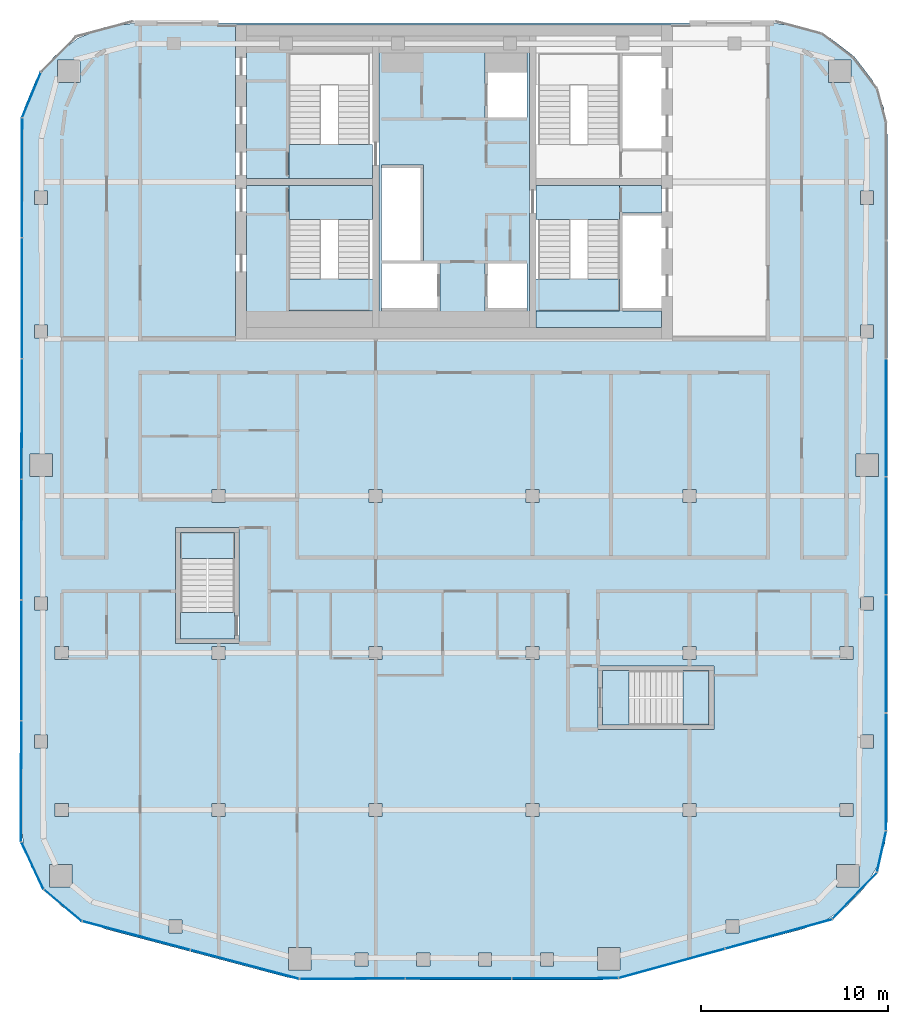
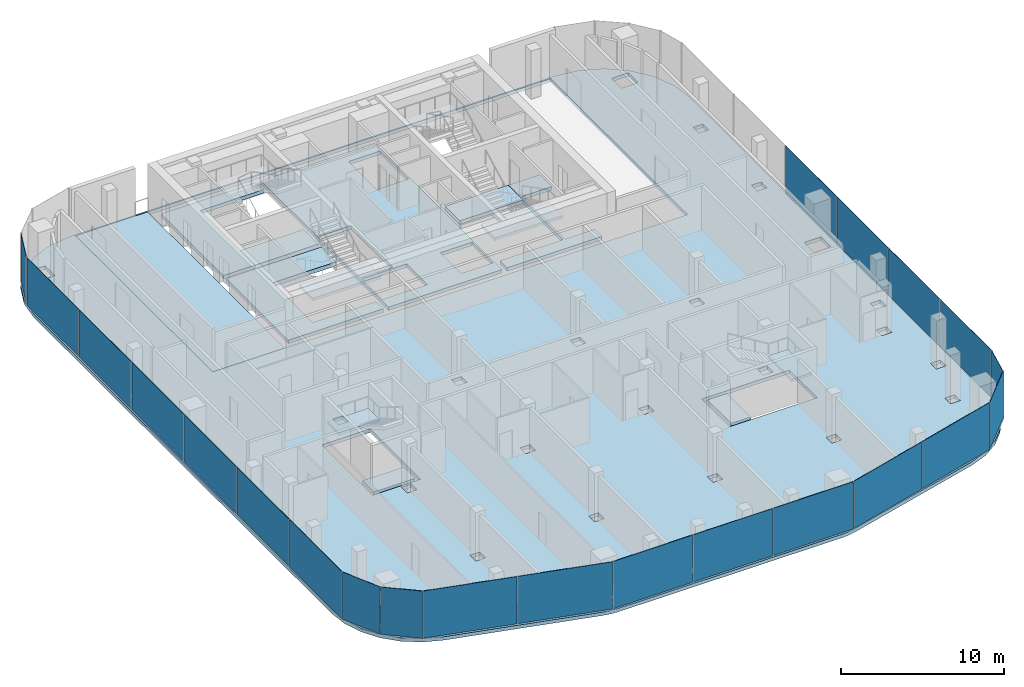
# One storey, part 12 of 19: 22 plates, 15 slabs, 14 elements without a shape of their own.
"""IFC4 building model written with IfcOpenShell, lengths in metres."""

from ifc_helpers import new_model, si_unit, direction, frame, origin, origin_2d, place, context, subcontext, project, spatial, polyline, rectangle, outline, extrude, material, layer, layer_set, type_object, element, aggregate, save


model = new_model("IFC4")

# Units and contexts
model_context = context("Model", 3, precision=1e-05, world=origin(), true_north=direction((0.0, 1.0)))
body_context = subcontext(model_context, "Body", "Model", "MODEL_VIEW")
ifc_project = project(units=[si_unit("LENGTHUNIT", "METRE"), si_unit("AREAUNIT", "SQUARE_METRE"), si_unit("VOLUMEUNIT", "CUBIC_METRE"), si_unit("PLANEANGLEUNIT", "RADIAN"), si_unit("MASSUNIT", "GRAM", prefix="KILO")], contexts=[model_context])

# Site, building, storey
site_placement = place(None, origin())
site = spatial("IfcSite", under=ifc_project, at=site_placement, CompositionType="ELEMENT")
building_placement = place(site_placement, origin())
building = spatial("IfcBuilding", under=site, at=building_placement, Name="Marenta Gate Hotel Tower", CompositionType="ELEMENT")
storey_placement = place(building_placement, frame((0.0, 0.0, 274.10009765625)))
storey = spatial("IfcBuildingStorey", under=building, at=storey_placement, Name="L63", CompositionType="ELEMENT", Elevation=274.10009765625)

# Slabs
ifc_material_1 = material(Name="Concrete C35", Category="concrete")
ifc_layer_1 = layer(ifc_material_1, 0.260009765625)
ifc_layer_set_1 = layer_set([ifc_layer_1], Name="Concrete C35")
slab_type_1 = type_object("IfcSlabType", Name="Concrete floor slab 260", PredefinedType="FLOOR", material=ifc_layer_set_1)
slab_1_placement = place(storey_placement, frame((0.0, 0.0, -0.260009765625)))
element("IfcSlab", 1, at=slab_1_placement, inside=storey, type_object=slab_type_1, Name="L63-SL-1", PredefinedType="FLOOR", context=body_context, shape_type="SweptSolid", body=[
    extrude(outline(polyline([(-21.013671875, -30.364013671875), (-21.935302734375, -29.404052734375), (-22.626953125, -28.26708984375), (-23.055419921875, -27.007080078125), (-23.199951171875, -25.689697265625), (-23.199951171875, 10.806640625), (-22.992919921875, 12.37890625), (-22.383544921875, 13.850341796875), (-21.413818359375, 15.114013671875), (-20.150390625, 16.08349609375), (-18.678955078125, 16.693115234375), (-17.1064453125, 16.89990234375), (17.1064453125, 16.89990234375), (18.678955078125, 16.693115234375), (20.150390625, 16.08349609375), (21.413818359375, 15.114013671875), (22.383544921875, 13.850341796875), (22.992919921875, 12.37890625), (23.199951171875, 10.806640625), (23.199951171875, -25.689697265625), (23.055419921875, -27.007080078125), (22.626953125, -28.26708984375), (21.935302734375, -29.404052734375), (21.013671875, -30.364013671875), (19.90576171875, -31.101318359375), (18.66943359375, -31.578857421875), (8.926513671875, -34.16357421875), (8.408447265625, -34.265869140625), (7.881591796875, -34.300048828125), (-7.881591796875, -34.300048828125), (-8.408447265625, -34.265869140625), (-8.926513671875, -34.16357421875), (-18.66943359375, -31.578857421875), (-19.90576171875, -31.101318359375), (-21.013671875, -30.364013671875)]), holes=[polyline([(-16.800048828125, 0.0), (16.800048828125, 0.0), (16.800048828125, 16.800048828125), (-16.800048828125, 16.800048828125), (-16.800048828125, 0.0)]), polyline([(-14.556884765625, -31.089111328125), (-15.2568359375, -31.089111328125), (-15.2568359375, -31.7890625), (-14.556884765625, -31.7890625), (-14.556884765625, -31.089111328125)]), polyline([(-20.462890625, -28.133056640625), (-21.6630859375, -28.133056640625), (-21.6630859375, -29.3330078125), (-20.462890625, -29.3330078125), (-20.462890625, -28.133056640625)]), polyline([(-20.64990234375, -24.85009765625), (-21.35009765625, -24.85009765625), (-21.35009765625, -25.550048828125), (-20.64990234375, -25.550048828125), (-20.64990234375, -24.85009765625)]), polyline([(-12.25, -25.550048828125), (-12.25, -24.85009765625), (-12.949951171875, -24.85009765625), (-12.949951171875, -25.550048828125), (-12.25, -25.550048828125)]), polyline([(-21.75, -21.90185546875), (-21.75, -21.201904296875), (-22.449951171875, -21.201904296875), (-22.449951171875, -21.90185546875), (-21.75, -21.90185546875)]), polyline([(-20.64990234375, -16.449951171875), (-21.35009765625, -16.449951171875), (-21.35009765625, -17.14990234375), (-20.64990234375, -17.14990234375), (-20.64990234375, -16.449951171875)]), polyline([(-12.25, -17.14990234375), (-12.25, -16.449951171875), (-12.949951171875, -16.449951171875), (-12.949951171875, -17.14990234375), (-12.25, -17.14990234375)]), polyline([(-21.75, -14.5009765625), (-21.75, -13.80078125), (-22.449951171875, -13.80078125), (-22.449951171875, -14.5009765625), (-21.75, -14.5009765625)]), polyline([(-12.25, -8.050048828125), (-12.949951171875, -8.050048828125), (-12.949951171875, -8.75), (-12.25, -8.75), (-12.25, -8.050048828125)]), polyline([(-21.5, -7.35009765625), (-21.5, -6.14990234375), (-22.699951171875, -6.14990234375), (-22.699951171875, -7.35009765625), (-21.5, -7.35009765625)]), polyline([(-21.75, 0.05322265625), (-21.75, 0.753173828125), (-22.449951171875, 0.753173828125), (-22.449951171875, 0.05322265625), (-21.75, 0.05322265625)]), polyline([(-21.75, 7.906494140625), (-22.449951171875, 7.906494140625), (-22.449951171875, 7.206298828125), (-21.75, 7.206298828125), (-21.75, 7.906494140625)]), polyline([(-20.035400390625, 14.935546875), (-21.235595703125, 14.935546875), (-21.235595703125, 13.735595703125), (-20.035400390625, 13.735595703125), (-20.035400390625, 14.935546875)]), polyline([(-4.610107421875, -33.550048828125), (-4.610107421875, -32.85009765625), (-5.31005859375, -32.85009765625), (-5.31005859375, -33.550048828125), (-4.610107421875, -33.550048828125)]), polyline([(-1.303466796875, -32.85009765625), (-2.00341796875, -32.85009765625), (-2.00341796875, -33.550048828125), (-1.303466796875, -33.550048828125), (-1.303466796875, -32.85009765625)]), polyline([(2.00341796875, -33.550048828125), (2.00341796875, -32.85009765625), (1.303466796875, -32.85009765625), (1.303466796875, -33.550048828125), (2.00341796875, -33.550048828125)]), polyline([(5.31005859375, -33.550048828125), (5.31005859375, -32.85009765625), (4.610107421875, -32.85009765625), (4.610107421875, -33.550048828125), (5.31005859375, -33.550048828125)]), polyline([(-7.666259765625, -32.57470703125), (-8.8662109375, -32.57470703125), (-8.8662109375, -33.77490234375), (-7.666259765625, -33.77490234375), (-7.666259765625, -32.57470703125)]), polyline([(8.8662109375, -33.77490234375), (8.8662109375, -32.57470703125), (7.666259765625, -32.57470703125), (7.666259765625, -33.77490234375), (8.8662109375, -33.77490234375)]), polyline([(-3.85009765625, -25.550048828125), (-3.85009765625, -24.85009765625), (-4.550048828125, -24.85009765625), (-4.550048828125, -25.550048828125), (-3.85009765625, -25.550048828125)]), polyline([(4.550048828125, -24.85009765625), (3.85009765625, -24.85009765625), (3.85009765625, -25.550048828125), (4.550048828125, -25.550048828125), (4.550048828125, -24.85009765625)]), polyline([(-3.85009765625, -16.449951171875), (-4.550048828125, -16.449951171875), (-4.550048828125, -17.14990234375), (-3.85009765625, -17.14990234375), (-3.85009765625, -16.449951171875)]), polyline([(4.550048828125, -16.449951171875), (3.85009765625, -16.449951171875), (3.85009765625, -17.14990234375), (4.550048828125, -17.14990234375), (4.550048828125, -16.449951171875)]), polyline([(-3.85009765625, -8.75), (-3.85009765625, -8.050048828125), (-4.550048828125, -8.050048828125), (-4.550048828125, -8.75), (-3.85009765625, -8.75)]), polyline([(4.550048828125, -8.75), (4.550048828125, -8.050048828125), (3.85009765625, -8.050048828125), (3.85009765625, -8.75), (4.550048828125, -8.75)]), polyline([(15.2568359375, -31.089111328125), (14.556884765625, -31.089111328125), (14.556884765625, -31.7890625), (15.2568359375, -31.7890625), (15.2568359375, -31.089111328125)]), polyline([(21.6630859375, -29.3330078125), (21.6630859375, -28.133056640625), (20.462890625, -28.133056640625), (20.462890625, -29.3330078125), (21.6630859375, -29.3330078125)]), polyline([(12.949951171875, -25.550048828125), (12.949951171875, -24.85009765625), (12.25, -24.85009765625), (12.25, -25.550048828125), (12.949951171875, -25.550048828125)]), polyline([(21.35009765625, -24.85009765625), (20.64990234375, -24.85009765625), (20.64990234375, -25.550048828125), (21.35009765625, -25.550048828125), (21.35009765625, -24.85009765625)]), polyline([(22.449951171875, -21.201904296875), (21.75, -21.201904296875), (21.75, -21.90185546875), (22.449951171875, -21.90185546875), (22.449951171875, -21.201904296875)]), polyline([(12.949951171875, -16.449951171875), (12.25, -16.449951171875), (12.25, -17.14990234375), (12.949951171875, -17.14990234375), (12.949951171875, -16.449951171875)]), polyline([(21.35009765625, -17.14990234375), (21.35009765625, -16.449951171875), (20.64990234375, -16.449951171875), (20.64990234375, -17.14990234375), (21.35009765625, -17.14990234375)]), polyline([(22.449951171875, -14.5009765625), (22.449951171875, -13.80078125), (21.75, -13.80078125), (21.75, -14.5009765625), (22.449951171875, -14.5009765625)]), polyline([(12.949951171875, -8.050048828125), (12.25, -8.050048828125), (12.25, -8.75), (12.949951171875, -8.75), (12.949951171875, -8.050048828125)]), polyline([(22.699951171875, -7.35009765625), (22.699951171875, -6.14990234375), (21.5, -6.14990234375), (21.5, -7.35009765625), (22.699951171875, -7.35009765625)]), polyline([(22.449951171875, 0.05322265625), (22.449951171875, 0.753173828125), (21.75, 0.753173828125), (21.75, 0.05322265625), (22.449951171875, 0.05322265625)]), polyline([(22.449951171875, 7.906494140625), (21.75, 7.906494140625), (21.75, 7.206298828125), (22.449951171875, 7.206298828125), (22.449951171875, 7.906494140625)]), polyline([(21.235595703125, 13.735595703125), (21.235595703125, 14.935546875), (20.035400390625, 14.935546875), (20.035400390625, 13.735595703125), (21.235595703125, 13.735595703125)]), polyline([(13.89990234375, -20.89990234375), (13.89990234375, -17.5), (7.699951171875, -17.5), (7.699951171875, -20.89990234375), (13.89990234375, -20.89990234375)]), polyline([(-11.5, -16.300048828125), (-11.5, -10.10009765625), (-14.89990234375, -10.10009765625), (-14.89990234375, -16.300048828125), (-11.5, -16.300048828125)])]), origin(), (0.0, 0.0, 1.0), 0.260009765625),
])
ifc_material_2 = material(Name="Concrete C40", Category="concrete")
ifc_layer_2 = layer(ifc_material_2, 0.260009765625)
ifc_layer_set_2 = layer_set([ifc_layer_2], Name="Concrete C40")
slab_type_2 = type_object("IfcSlabType", Name="Core floor slab 260", PredefinedType="FLOOR", material=ifc_layer_set_2)
slab_2_placement = place(storey_placement, frame((0.0, 0.0, -0.260009765625)))
element("IfcSlab", 2, at=slab_2_placement, inside=storey, type_object=slab_type_2, Name="L63-CF-2", PredefinedType="FLOOR", context=body_context, shape_type="SweptSolid", body=[
    extrude(outline(polyline([(8.85009765625, 1.5), (8.85009765625, 6.39990234375), (8.85009765625, 8.10009765625), (8.85009765625, 8.22509765625), (11.10009765625, 8.22509765625), (11.10009765625, 6.75), (9.0, 6.75), (9.0, 6.60009765625), (9.0, 4.199951171875), (9.0, 4.050048828125), (9.0, 1.64990234375), (9.0, 1.5), (11.10009765625, 1.5), (11.10009765625, 0.60009765625), (4.375, 0.60009765625), (4.375, 1.5), (8.85009765625, 1.5)])), origin(), (0.0, 0.0, 1.0), 0.260009765625),
])
slab_3_placement = place(storey_placement, frame((0.0, 0.0, -0.260009765625)))
element("IfcSlab", 3, at=slab_3_placement, inside=storey, type_object=slab_type_2, Name="L63-CF-4", PredefinedType="FLOOR", context=body_context, shape_type="SweptSolid", body=[
    extrude(outline(polyline([(4.02490234375, 15.300048828125), (4.02490234375, 10.39990234375), (4.02490234375, 6.39990234375), (4.02490234375, 1.5), (4.02490234375, 0.60009765625), (-4.02490234375, 0.60009765625), (-4.02490234375, 1.5), (-4.02490234375, 6.39990234375), (-4.02490234375, 10.39990234375), (-4.02490234375, 15.300048828125), (-4.02490234375, 16.199951171875), (4.02490234375, 16.199951171875), (4.02490234375, 15.300048828125)]), holes=[polyline([(1.64990234375, 14.25), (1.64990234375, 11.85009765625), (1.800048828125, 11.85009765625), (3.89990234375, 11.85009765625), (3.89990234375, 14.25), (3.89990234375, 15.300048828125), (1.64990234375, 15.300048828125), (1.64990234375, 14.25)]), polyline([(3.89990234375, 1.64990234375), (3.89990234375, 4.050048828125), (1.800048828125, 4.050048828125), (1.64990234375, 4.050048828125), (1.64990234375, 1.64990234375), (1.64990234375, 1.5), (3.89990234375, 1.5), (3.89990234375, 1.64990234375)]), polyline([(-3.89990234375, 1.64990234375), (-3.89990234375, 1.5), (-0.89990234375, 1.5), (-0.75, 1.5), (-0.75, 4.050048828125), (-0.89990234375, 4.050048828125), (-3.89990234375, 4.050048828125), (-3.89990234375, 1.64990234375)]), polyline([(-1.800048828125, 4.199951171875), (-1.64990234375, 4.199951171875), (-1.64990234375, 9.14990234375), (-1.64990234375, 9.300048828125), (-3.89990234375, 9.300048828125), (-3.89990234375, 9.14990234375), (-3.89990234375, 6.75), (-3.89990234375, 6.60009765625), (-3.89990234375, 4.199951171875), (-1.800048828125, 4.199951171875)])]), origin(), (0.0, 0.0, 1.0), 0.260009765625),
])
slab_4_placement = place(storey_placement, frame((0.0, 0.0, -0.260009765625)))
element("IfcSlab", 4, at=slab_4_placement, inside=storey, type_object=slab_type_2, Name="L63-CF-5", PredefinedType="FLOOR", context=body_context, shape_type="SweptSolid", body=[
    extrude(outline(polyline([(-8.85009765625, 8.22509765625), (-8.85009765625, 8.10009765625), (-8.85009765625, 6.39990234375), (-8.85009765625, 1.5), (-4.375, 1.5), (-4.375, 0.60009765625), (-11.10009765625, 0.60009765625), (-11.10009765625, 8.22509765625), (-8.85009765625, 8.22509765625)])), origin(), (0.0, 0.0, 1.0), 0.260009765625),
])
slab_5_placement = place(storey_placement, frame((0.0, 0.0, -0.260009765625)))
element("IfcSlab", 5, at=slab_5_placement, inside=storey, type_object=slab_type_2, Name="L63-CF-6", PredefinedType="FLOOR", context=body_context, shape_type="SweptSolid", body=[
    extrude(outline(polyline([(-4.375, 15.300048828125), (-8.85009765625, 15.300048828125), (-8.85009765625, 10.39990234375), (-8.85009765625, 8.699951171875), (-8.85009765625, 8.574951171875), (-11.10009765625, 8.574951171875), (-11.10009765625, 16.199951171875), (-4.375, 16.199951171875), (-4.375, 15.300048828125)])), origin(), (0.0, 0.0, 1.0), 0.260009765625),
])
slab_6_placement = place(storey_placement, frame((0.0, 0.0, -0.260009765625)))
element("IfcSlab", 6, at=slab_6_placement, inside=storey, type_object=slab_type_2, Name="L63-CF-7", PredefinedType="FLOOR", context=body_context, shape_type="SweptSolid", body=[
    extrude(outline(polyline([(-11.699951171875, 16.800048828125), (-11.699951171875, 0.0), (-16.800048828125, 0.0), (-16.800048828125, 16.800048828125), (-11.699951171875, 16.800048828125)])), origin(), (0.0, 0.0, 1.0), 0.260009765625),
])

# Stair, slab
ifc_material_3 = material(Name="Concrete C40", Category="concrete")
stair_type_1 = type_object("IfcStairType", Name="Core exit stair 1700 wide", PredefinedType="HALF_TURN_STAIR", material=ifc_material_3)
stair_1_placement = place(storey_placement, origin())
stair_1 = element("IfcStair", 7, at=stair_1_placement, inside=storey, type_object=stair_type_1, Name="Exit stair 1", PredefinedType="HALF_TURN_STAIR")
ifc_material_4 = material(Name="Concrete C40", Category="concrete")
ifc_layer_3 = layer(ifc_material_4, 0.199951171875)
ifc_layer_set_3 = layer_set([ifc_layer_3], Name="Concrete C40")
slab_type_3 = type_object("IfcSlabType", Name="Core stair landing 200", PredefinedType="LANDING", material=ifc_layer_set_3)
slab_7_placement = place(storey_placement, frame((0.0, 0.0, 1.599853515625)))
slab_7 = element("IfcSlab", 8, at=slab_7_placement, type_object=slab_type_3, Name="SL-200 ST1 landing 1", PredefinedType="LANDING", context=body_context, shape_type="SweptSolid", body=[
    extrude(outline(polyline([(-8.85009765625, 1.5), (-4.02490234375, 1.5), (-4.02490234375, 3.2099609375), (-8.85009765625, 3.2099609375), (-8.85009765625, 1.5)])), origin(), (0.0, 0.0, 1.0), 0.199951171875),
])
aggregate(stair_1, [slab_7])

stair_2_placement = place(storey_placement, origin())
stair_2 = element("IfcStair", 9, at=stair_2_placement, inside=storey, type_object=stair_type_1, Name="Exit stair 3", PredefinedType="HALF_TURN_STAIR")
slab_8_placement = place(storey_placement, frame((0.0, 0.0, 1.599853515625)))
slab_8 = element("IfcSlab", 10, at=slab_8_placement, type_object=slab_type_3, Name="SL-200 ST3 landing 1", PredefinedType="LANDING", context=body_context, shape_type="SweptSolid", body=[
    extrude(outline(polyline([(4.02490234375, 1.5), (8.85009765625, 1.5), (8.85009765625, 3.2099609375), (4.02490234375, 3.2099609375), (4.02490234375, 1.5)])), origin(), (0.0, 0.0, 1.0), 0.199951171875),
])
aggregate(stair_2, [slab_8])

# Curtain wall, plate
ifc_material_5 = material(Name="Tinted insulated glass in bronze anodised frame", Category="glass")
ifc_layer_4 = layer(ifc_material_5, 0.1201171875)
ifc_layer_set_4 = layer_set([ifc_layer_4], Name="Tinted insulated glass in bronze anodised frame")
curtain_wall_type = type_object("IfcCurtainWallType", Name="Tower unitised curtain wall CW1", PredefinedType="NOTDEFINED", material=ifc_layer_set_4)
curtain_wall_1_placement = place(storey_placement, origin())
curtain_wall_1 = element("IfcCurtainWall", 11, at=curtain_wall_1_placement, inside=storey, type_object=curtain_wall_type, Name="CW1 run G02", PredefinedType="NOTDEFINED")
ifc_material_6 = material(Name="Tinted insulated glass", Category="glass")
ifc_layer_5 = layer(ifc_material_6, 0.028076171875)
ifc_layer_set_5 = layer_set([ifc_layer_5], Name="Tinted insulated glass")
plate_type = type_object("IfcPlateType", Name="Glass panel CW1 28 mm tinted insulated unit", PredefinedType="CURTAIN_PANEL", material=ifc_layer_set_5)
plate_1_placement = place(storey_placement, frame((-22.619384765625, 13.055908203125, 0.059814453125), z_axis=(0.0, 0.0, 1.0), x_axis=(-0.382666772044, -0.923886433266, 0.0)))
plate_1 = element("IfcPlate", 12, at=plate_1_placement, type_object=plate_type, Name="CW1 panel 1.1", PredefinedType="CURTAIN_PANEL", context=body_context, shape_type="SweptSolid", body=[
    extrude(rectangle(XDim=2.57568359375, YDim=0.028076171875, at=origin_2d()), origin(), (0.0, 0.0, 1.0), 3.5400390625),
])
aggregate(curtain_wall_1, [plate_1])

# Curtain wall, plates
curtain_wall_2_placement = place(storey_placement, origin())
curtain_wall_2 = element("IfcCurtainWall", 13, at=curtain_wall_2_placement, inside=storey, type_object=curtain_wall_type, Name="CW1 run G03", PredefinedType="NOTDEFINED")
plate_2_placement = place(storey_placement, frame((-23.117431640625, 8.62109375, 0.059814453125), z_axis=(0.0, 0.0, 1.0), x_axis=(-0.001566045546, -0.99999877375, 0.0)))
plate_2 = element("IfcPlate", 14, at=plate_2_placement, type_object=plate_type, Name="CW1 panel 1.1", PredefinedType="CURTAIN_PANEL", context=body_context, shape_type="SweptSolid", body=[
    extrude(rectangle(XDim=6.3701171875, YDim=0.028076171875, at=origin_2d()), origin(), (0.0, 0.0, 1.0), 3.5400390625),
])
plate_3_placement = place(storey_placement, frame((-23.12744140625, 2.17626953125, 0.059814453125), z_axis=(0.0, 0.0, 1.0), x_axis=(-0.001566045546, -0.99999877375, 0.0)))
plate_3 = element("IfcPlate", 15, at=plate_3_placement, type_object=plate_type, Name="CW1 panel 2.1", PredefinedType="CURTAIN_PANEL", context=body_context, shape_type="SweptSolid", body=[
    extrude(rectangle(XDim=6.39990234375, YDim=0.028076171875, at=origin_2d()), origin(), (0.0, 0.0, 1.0), 3.5400390625),
])
plate_4_placement = place(storey_placement, frame((-23.1376953125, -4.28369140625, 0.059814453125), z_axis=(0.0, 0.0, 1.0), x_axis=(-0.001566045546, -0.99999877375, 0.0)))
plate_4 = element("IfcPlate", 16, at=plate_4_placement, type_object=plate_type, Name="CW1 panel 3.1", PredefinedType="CURTAIN_PANEL", context=body_context, shape_type="SweptSolid", body=[
    extrude(rectangle(XDim=6.39990234375, YDim=0.028076171875, at=origin_2d()), origin(), (0.0, 0.0, 1.0), 3.5400390625),
])
plate_5_placement = place(storey_placement, frame((-23.147705078125, -10.743896484375, 0.059814453125), z_axis=(0.0, 0.0, 1.0), x_axis=(-0.001566045546, -0.99999877375, 0.0)))
plate_5 = element("IfcPlate", 17, at=plate_5_placement, type_object=plate_type, Name="CW1 panel 4.1", PredefinedType="CURTAIN_PANEL", context=body_context, shape_type="SweptSolid", body=[
    extrude(rectangle(XDim=6.39990234375, YDim=0.028076171875, at=origin_2d()), origin(), (0.0, 0.0, 1.0), 3.5400390625),
])
plate_6_placement = place(storey_placement, frame((-23.15771484375, -17.203857421875, 0.059814453125), z_axis=(0.0, 0.0, 1.0), x_axis=(-0.001566045546, -0.99999877375, 0.0)))
plate_6 = element("IfcPlate", 18, at=plate_6_placement, type_object=plate_type, Name="CW1 panel 5.1", PredefinedType="CURTAIN_PANEL", context=body_context, shape_type="SweptSolid", body=[
    extrude(rectangle(XDim=6.39990234375, YDim=0.028076171875, at=origin_2d()), origin(), (0.0, 0.0, 1.0), 3.5400390625),
])
plate_7_placement = place(storey_placement, frame((-23.16796875, -23.6787109375, 0.059814453125), z_axis=(0.0, 0.0, 1.0), x_axis=(-0.001566045546, -0.99999877375, 0.0)))
plate_7 = element("IfcPlate", 19, at=plate_7_placement, type_object=plate_type, Name="CW1 panel 6.1", PredefinedType="CURTAIN_PANEL", context=body_context, shape_type="SweptSolid", body=[
    extrude(rectangle(XDim=6.429931640625, YDim=0.028076171875, at=origin_2d()), origin(), (0.0, 0.0, 1.0), 3.5400390625),
])
aggregate(curtain_wall_2, [plate_2, plate_3, plate_4, plate_5, plate_6, plate_7])

# Curtain wall, plate
curtain_wall_3_placement = place(storey_placement, origin())
curtain_wall_3 = element("IfcCurtainWall", 20, at=curtain_wall_3_placement, inside=storey, type_object=curtain_wall_type, Name="CW1 run G04", PredefinedType="NOTDEFINED")
plate_8_placement = place(storey_placement, frame((-22.565185546875, -28.1943359375, 0.059814453125), z_axis=(0.0, 0.0, 1.0), x_axis=(0.42333719762, -0.905972194447, 0.0)))
plate_8 = element("IfcPlate", 21, at=plate_8_placement, type_object=plate_type, Name="CW1 panel 1.1", PredefinedType="CURTAIN_PANEL", context=body_context, shape_type="SweptSolid", body=[
    extrude(rectangle(XDim=2.751220703125, YDim=0.028076171875, at=origin_2d()), origin(), (0.0, 0.0, 1.0), 3.5400390625),
])
aggregate(curtain_wall_3, [plate_8])

curtain_wall_4_placement = place(storey_placement, origin())
curtain_wall_4 = element("IfcCurtainWall", 22, at=curtain_wall_4_placement, inside=storey, type_object=curtain_wall_type, Name="CW1 run G05", PredefinedType="NOTDEFINED")
plate_9_placement = place(storey_placement, frame((-20.93603515625, -30.316162109375, 0.059814453125), z_axis=(0.0, 0.0, 1.0), x_axis=(0.767102345594, -0.641524739495, 0.0)))
plate_9 = element("IfcPlate", 23, at=plate_9_placement, type_object=plate_type, Name="CW1 panel 1.1", PredefinedType="CURTAIN_PANEL", context=body_context, shape_type="SweptSolid", body=[
    extrude(rectangle(XDim=2.609375, YDim=0.028076171875, at=origin_2d()), origin(), (0.0, 0.0, 1.0), 3.5400390625),
])
aggregate(curtain_wall_4, [plate_9])

# Curtain wall, plates
curtain_wall_5_placement = place(storey_placement, origin())
curtain_wall_5 = element("IfcCurtainWall", 24, at=curtain_wall_5_placement, inside=storey, type_object=curtain_wall_type, Name="CW1 run G06", PredefinedType="NOTDEFINED")
plate_10_placement = place(storey_placement, frame((-17.013427734375, -31.930419921875, 0.059814453125), z_axis=(0.0, 0.0, 1.0), x_axis=(0.966375890775, -0.257133501765, 0.0)))
plate_10 = element("IfcPlate", 25, at=plate_10_placement, type_object=plate_type, Name="CW1 panel 1.1", PredefinedType="CURTAIN_PANEL", context=body_context, shape_type="SweptSolid", body=[
    extrude(rectangle(XDim=5.927001953125, YDim=0.028076171875, at=origin_2d()), origin(), (0.0, 0.0, 1.0), 3.5400390625),
])
plate_11_placement = place(storey_placement, frame((-11.198974609375, -33.477783203125, 0.059814453125), z_axis=(0.0, 0.0, 1.0), x_axis=(0.966375890775, -0.257133501765, 0.0)))
plate_11 = element("IfcPlate", 26, at=plate_11_placement, type_object=plate_type, Name="CW1 panel 2.1", PredefinedType="CURTAIN_PANEL", context=body_context, shape_type="SweptSolid", body=[
    extrude(rectangle(XDim=5.98681640625, YDim=0.028076171875, at=origin_2d()), origin(), (0.0, 0.0, 1.0), 3.5400390625),
])
aggregate(curtain_wall_5, [plate_10, plate_11])

curtain_wall_6_placement = place(storey_placement, origin())
curtain_wall_6 = element("IfcCurtainWall", 27, at=curtain_wall_6_placement, inside=storey, type_object=curtain_wall_type, Name="CW1 run G07", PredefinedType="NOTDEFINED")
plate_12_placement = place(storey_placement, frame((-5.4443359375, -34.241455078125, 0.059814453125), z_axis=(0.0, 0.0, 1.0), x_axis=(0.99999786459, 0.002066595127, 0.0)))
plate_12 = element("IfcPlate", 28, at=plate_12_placement, type_object=plate_type, Name="CW1 panel 1.1", PredefinedType="CURTAIN_PANEL", context=body_context, shape_type="SweptSolid", body=[
    extrude(rectangle(XDim=5.603759765625, YDim=0.028076171875, at=origin_2d()), origin(), (0.0, 0.0, 1.0), 3.5400390625),
])
plate_13_placement = place(storey_placement, frame((0.234619140625, -34.229736328125, 0.059814453125), z_axis=(0.0, 0.0, 1.0), x_axis=(0.99999786459, 0.002066595127, 0.0)))
plate_13 = element("IfcPlate", 29, at=plate_13_placement, type_object=plate_type, Name="CW1 panel 2.1", PredefinedType="CURTAIN_PANEL", context=body_context, shape_type="SweptSolid", body=[
    extrude(rectangle(XDim=5.6337890625, YDim=0.028076171875, at=origin_2d()), origin(), (0.0, 0.0, 1.0), 3.5400390625),
])
plate_14_placement = place(storey_placement, frame((5.943115234375, -34.218017578125, 0.059814453125), z_axis=(0.0, 0.0, 1.0), x_axis=(0.99999786459, 0.002066595127, 0.0)))
plate_14 = element("IfcPlate", 30, at=plate_14_placement, type_object=plate_type, Name="CW1 panel 3.1", PredefinedType="CURTAIN_PANEL", context=body_context, shape_type="SweptSolid", body=[
    extrude(rectangle(XDim=5.663818359375, YDim=0.028076171875, at=origin_2d()), origin(), (0.0, 0.0, 1.0), 3.5400390625),
])
aggregate(curtain_wall_6, [plate_12, plate_13, plate_14])

curtain_wall_7_placement = place(storey_placement, origin())
curtain_wall_7 = element("IfcCurtainWall", 31, at=curtain_wall_7_placement, inside=storey, type_object=curtain_wall_type, Name="CW1 run G08", PredefinedType="NOTDEFINED")
plate_15_placement = place(storey_placement, frame((11.652099609375, -33.42041015625, 0.059814453125), z_axis=(0.0, 0.0, 1.0), x_axis=(0.964168083707, 0.265292115151, 0.0)))
plate_15 = element("IfcPlate", 32, at=plate_15_placement, type_object=plate_type, Name="CW1 panel 1.1", PredefinedType="CURTAIN_PANEL", context=body_context, shape_type="SweptSolid", body=[
    extrude(rectangle(XDim=5.84765625, YDim=0.028076171875, at=origin_2d()), origin(), (0.0, 0.0, 1.0), 3.5400390625),
])
plate_16_placement = place(storey_placement, frame((17.376708984375, -31.84521484375, 0.059814453125), z_axis=(0.0, 0.0, 1.0), x_axis=(0.964168083707, 0.265292115151, 0.0)))
plate_16 = element("IfcPlate", 33, at=plate_16_placement, type_object=plate_type, Name="CW1 panel 2.1", PredefinedType="CURTAIN_PANEL", context=body_context, shape_type="SweptSolid", body=[
    extrude(rectangle(XDim=5.90771484375, YDim=0.028076171875, at=origin_2d()), origin(), (0.0, 0.0, 1.0), 3.5400390625),
])
aggregate(curtain_wall_7, [plate_15, plate_16])

# Curtain wall, plate
curtain_wall_8_placement = place(storey_placement, origin())
curtain_wall_8 = element("IfcCurtainWall", 34, at=curtain_wall_8_placement, inside=storey, type_object=curtain_wall_type, Name="CW1 run G09", PredefinedType="NOTDEFINED")
plate_17_placement = place(storey_placement, frame((21.443359375, -29.79248046875, 0.059814453125), z_axis=(0.0, 0.0, 1.0), x_axis=(0.692548076564, 0.72137172224, 0.0)))
plate_17 = element("IfcPlate", 35, at=plate_17_placement, type_object=plate_type, Name="CW1 panel 1.1", PredefinedType="CURTAIN_PANEL", context=body_context, shape_type="SweptSolid", body=[
    extrude(rectangle(XDim=3.39892578125, YDim=0.028076171875, at=origin_2d()), origin(), (0.0, 0.0, 1.0), 3.5400390625),
])
aggregate(curtain_wall_8, [plate_17])

curtain_wall_9_placement = place(storey_placement, origin())
curtain_wall_9 = element("IfcCurtainWall", 36, at=curtain_wall_9_placement, inside=storey, type_object=curtain_wall_type, Name="CW1 run G10", PredefinedType="NOTDEFINED")
plate_18_placement = place(storey_placement, frame((22.873779296875, -27.42578125, 0.059814453125), z_axis=(0.0, 0.0, 1.0), x_axis=(0.216842096529, 0.97620669183, 0.0)))
plate_18 = element("IfcPlate", 37, at=plate_18_placement, type_object=plate_type, Name="CW1 panel 1.1", PredefinedType="CURTAIN_PANEL", context=body_context, shape_type="SweptSolid", body=[
    extrude(rectangle(XDim=2.216796875, YDim=0.028076171875, at=origin_2d()), origin(), (0.0, 0.0, 1.0), 3.5400390625),
])
aggregate(curtain_wall_9, [plate_18])

# Curtain wall, plates
curtain_wall_10_placement = place(storey_placement, origin())
curtain_wall_10 = element("IfcCurtainWall", 38, at=curtain_wall_10_placement, inside=storey, type_object=curtain_wall_type, Name="CW1 run G11", PredefinedType="NOTDEFINED")
plate_19_placement = place(storey_placement, frame((23.114013671875, -23.16748046875, 0.059814453125), z_axis=(0.0, 0.0, 1.0), x_axis=(0.0, 1.0, 0.0)))
plate_19 = element("IfcPlate", 39, at=plate_19_placement, type_object=plate_type, Name="CW1 panel 1.1", PredefinedType="CURTAIN_PANEL", context=body_context, shape_type="SweptSolid", body=[
    extrude(rectangle(XDim=6.232666015625, YDim=0.028076171875, at=origin_2d()), origin(), (0.0, 0.0, 1.0), 3.5400390625),
])
plate_20_placement = place(storey_placement, frame((23.114013671875, -16.85986328125, 0.059814453125), z_axis=(0.0, 0.0, 1.0), x_axis=(0.0, 1.0, 0.0)))
plate_20 = element("IfcPlate", 40, at=plate_20_placement, type_object=plate_type, Name="CW1 panel 2.1", PredefinedType="CURTAIN_PANEL", context=body_context, shape_type="SweptSolid", body=[
    extrude(rectangle(XDim=6.2626953125, YDim=0.028076171875, at=origin_2d()), origin(), (0.0, 0.0, 1.0), 3.5400390625),
])
plate_21_placement = place(storey_placement, frame((23.114013671875, -10.537353515625, 0.059814453125), z_axis=(0.0, 0.0, 1.0), x_axis=(0.0, 1.0, 0.0)))
plate_21 = element("IfcPlate", 41, at=plate_21_placement, type_object=plate_type, Name="CW1 panel 3.1", PredefinedType="CURTAIN_PANEL", context=body_context, shape_type="SweptSolid", body=[
    extrude(rectangle(XDim=6.2626953125, YDim=0.028076171875, at=origin_2d()), origin(), (0.0, 0.0, 1.0), 3.5400390625),
])
plate_22_placement = place(storey_placement, frame((23.114013671875, -4.214599609375, 0.059814453125), z_axis=(0.0, 0.0, 1.0), x_axis=(0.0, 1.0, 0.0)))
plate_22 = element("IfcPlate", 42, at=plate_22_placement, type_object=plate_type, Name="CW1 panel 4.1", PredefinedType="CURTAIN_PANEL", context=body_context, shape_type="SweptSolid", body=[
    extrude(rectangle(XDim=6.2626953125, YDim=0.028076171875, at=origin_2d()), origin(), (0.0, 0.0, 1.0), 3.5400390625),
])
aggregate(curtain_wall_10, [plate_19, plate_20, plate_21, plate_22])

# Stair, slab
ifc_material_7 = material(Name="Concrete C40", Category="concrete")
stair_type_2 = type_object("IfcStairType", Name="Remote exit stair 1400 wide", PredefinedType="HALF_TURN_STAIR", material=ifc_material_7)
stair_3_placement = place(storey_placement, origin())
stair_3 = element("IfcStair", 43, at=stair_3_placement, inside=storey, type_object=stair_type_2, Name="Exit stair RS-Z4-1", PredefinedType="HALF_TURN_STAIR")
ifc_material_8 = material(Name="Concrete C40", Category="concrete")
ifc_layer_6 = layer(ifc_material_8, 0.199951171875)
ifc_layer_set_6 = layer_set([ifc_layer_6], Name="Concrete C40")
slab_type_4 = type_object("IfcSlabType", Name="Remote stair landing 200", PredefinedType="LANDING", material=ifc_layer_set_6)
slab_9_placement = place(storey_placement, frame((0.0, 0.0, 1.599853515625)))
slab_9 = element("IfcSlab", 44, at=slab_9_placement, type_object=slab_type_4, Name="RL-200 RS-Z4-1 landing 1", PredefinedType="LANDING", context=body_context, shape_type="SweptSolid", body=[
    extrude(outline(polyline([(12.25, -20.64990234375), (13.64990234375, -20.64990234375), (13.64990234375, -17.75), (12.25, -17.75), (12.25, -20.64990234375)])), origin(), (0.0, 0.0, 1.0), 0.199951171875),
])
aggregate(stair_3, [slab_9])

stair_4_placement = place(storey_placement, origin())
stair_4 = element("IfcStair", 45, at=stair_4_placement, inside=storey, type_object=stair_type_2, Name="Exit stair RS-Z4-2", PredefinedType="HALF_TURN_STAIR")
slab_10_placement = place(storey_placement, frame((0.0, 0.0, 1.599853515625)))
slab_10 = element("IfcSlab", 46, at=slab_10_placement, type_object=slab_type_4, Name="RL-200 RS-Z4-2 landing 1", PredefinedType="LANDING", context=body_context, shape_type="SweptSolid", body=[
    extrude(outline(polyline([(-14.64990234375, -11.75), (-11.75, -11.75), (-11.75, -10.35009765625), (-14.64990234375, -10.35009765625), (-14.64990234375, -11.75)])), origin(), (0.0, 0.0, 1.0), 0.199951171875),
])
aggregate(stair_4, [slab_10])

# Slabs
ifc_material_9 = material(Name="Concrete C40", Category="concrete")
ifc_layer_7 = layer(ifc_material_9, 0.300048828125)
ifc_layer_set_7 = layer_set([ifc_layer_7], Name="Concrete C40")
slab_type_5 = type_object("IfcSlabType", Name="Stair floor landing slab 300", PredefinedType="FLOOR", material=ifc_layer_set_7)
slab_11_placement = place(storey_placement, frame((0.0, 0.0, -0.300048828125)))
element("IfcSlab", 47, at=slab_11_placement, inside=storey, type_object=slab_type_5, Name="L63-CL-ST1-1", PredefinedType="FLOOR", context=body_context, shape_type="SweptSolid", body=[
    extrude(outline(polyline([(-4.375, 6.39990234375), (-8.85009765625, 6.39990234375), (-8.85009765625, 8.10009765625), (-8.85009765625, 8.22509765625), (-4.375, 8.22509765625), (-4.375, 6.39990234375)])), origin(), (0.0, 0.0, 1.0), 0.300048828125),
])
slab_12_placement = place(storey_placement, frame((0.0, 0.0, -0.300048828125)))
element("IfcSlab", 48, at=slab_12_placement, inside=storey, type_object=slab_type_5, Name="L63-CL-ST2-1", PredefinedType="FLOOR", context=body_context, shape_type="SweptSolid", body=[
    extrude(outline(polyline([(-4.375, 8.574951171875), (-8.85009765625, 8.574951171875), (-8.85009765625, 8.699951171875), (-8.85009765625, 10.39990234375), (-4.375, 10.39990234375), (-4.375, 8.574951171875)])), origin(), (0.0, 0.0, 1.0), 0.300048828125),
])
slab_13_placement = place(storey_placement, frame((0.0, 0.0, -0.300048828125)))
element("IfcSlab", 49, at=slab_13_placement, inside=storey, type_object=slab_type_5, Name="L63-CL-ST3-1", PredefinedType="FLOOR", context=body_context, shape_type="SweptSolid", body=[
    extrude(outline(polyline([(4.375, 6.39990234375), (4.375, 8.22509765625), (8.85009765625, 8.22509765625), (8.85009765625, 8.10009765625), (8.85009765625, 6.39990234375), (4.375, 6.39990234375)])), origin(), (0.0, 0.0, 1.0), 0.300048828125),
])
slab_14_placement = place(storey_placement, frame((0.0, 0.0, -0.300048828125)))
element("IfcSlab", 50, at=slab_14_placement, inside=storey, type_object=slab_type_5, Name="L63-RS-Z4-1-CL", PredefinedType="FLOOR", context=body_context, shape_type="SweptSolid", body=[
    extrude(outline(polyline([(9.35009765625, -20.64990234375), (9.35009765625, -17.75), (7.949951171875, -17.75), (7.949951171875, -20.64990234375), (9.35009765625, -20.64990234375)])), origin(), (0.0, 0.0, 1.0), 0.300048828125),
])
slab_15_placement = place(storey_placement, frame((0.0, 0.0, -0.300048828125)))
element("IfcSlab", 51, at=slab_15_placement, inside=storey, type_object=slab_type_5, Name="L63-RS-Z4-2-CL", PredefinedType="FLOOR", context=body_context, shape_type="SweptSolid", body=[
    extrude(outline(polyline([(-11.75, -16.050048828125), (-11.75, -14.64990234375), (-14.64990234375, -14.64990234375), (-14.64990234375, -16.050048828125), (-11.75, -16.050048828125)])), origin(), (0.0, 0.0, 1.0), 0.300048828125),
])

save(model, "model.ifc")
